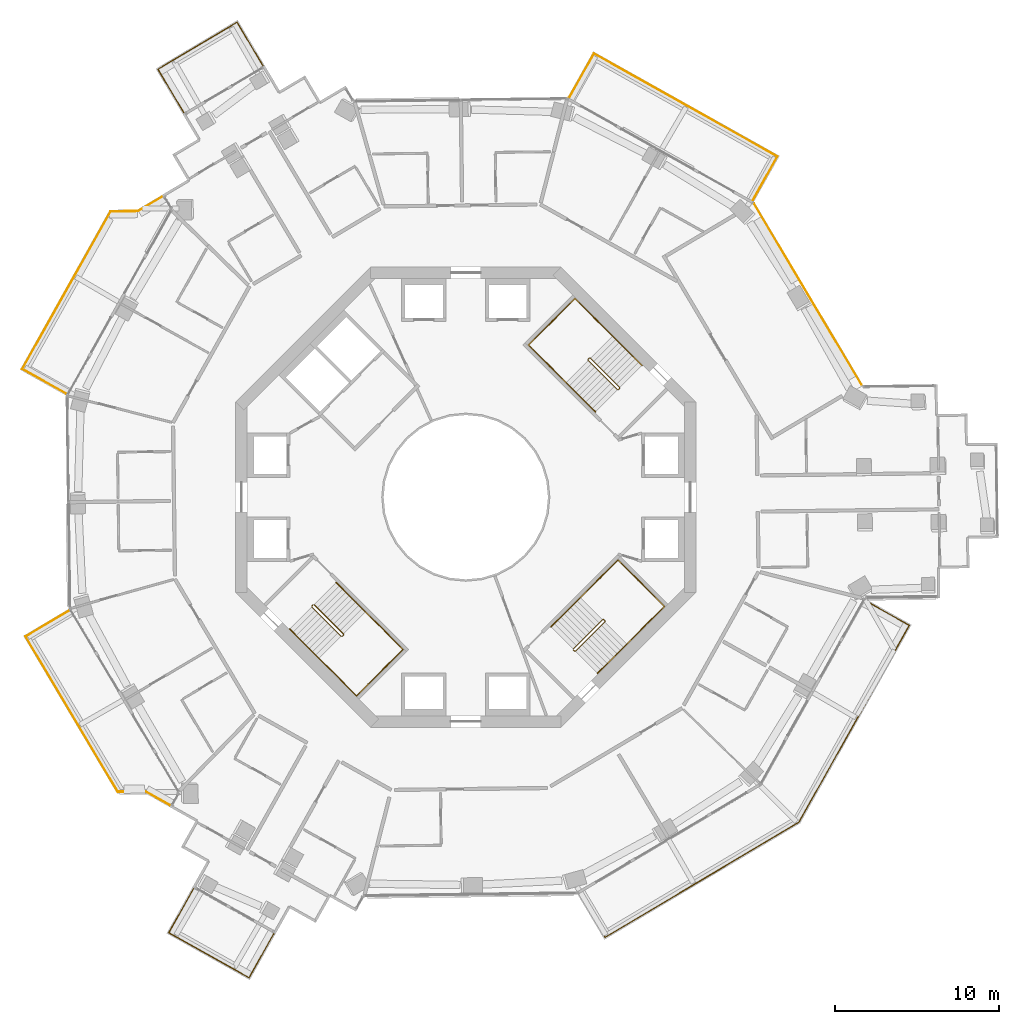
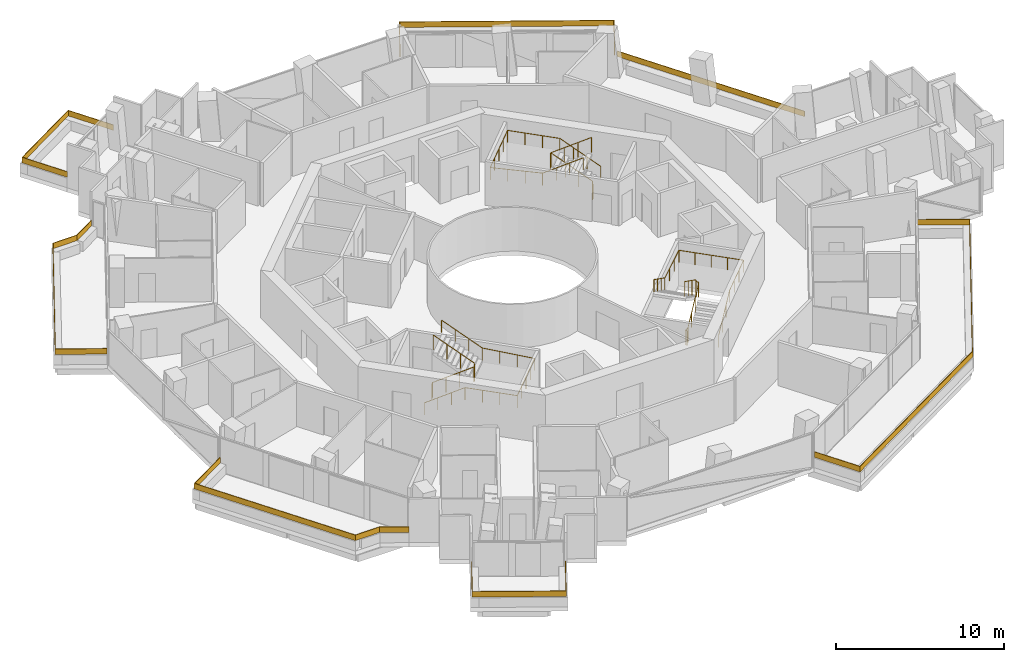
# One storey, part 21 of 21: 13 railings.
"""IFC4 building model written with IfcOpenShell, lengths in metres."""

from ifc_helpers import new_model, si_unit, direction, frame, origin, origin_2d, place, context, subcontext, project, spatial, polyline, rectangle, circle, outline, extrude, material, layer, layer_set, type_object, element, save


model = new_model("IFC4")

# Units and contexts
model_context = context("Model", 3, precision=1e-05, world=origin(), true_north=direction((0.0, 1.0)))
body_context = subcontext(model_context, "Body", "Model", "MODEL_VIEW")
ifc_project = project(units=[si_unit("LENGTHUNIT", "METRE"), si_unit("AREAUNIT", "SQUARE_METRE"), si_unit("VOLUMEUNIT", "CUBIC_METRE"), si_unit("PLANEANGLEUNIT", "RADIAN"), si_unit("MASSUNIT", "GRAM", prefix="KILO")], contexts=[model_context])

# Site, building, storey
site_placement = place(None, origin())
site = spatial("IfcSite", under=ifc_project, at=site_placement, CompositionType="ELEMENT")
building_placement = place(site_placement, origin())
building = spatial("IfcBuilding", under=site, at=building_placement, Name="Verdalira Terraces Hotel", CompositionType="ELEMENT")
storey_placement = place(building_placement, frame((0.0, 0.0, 158.5)))
storey = spatial("IfcBuildingStorey", under=building, at=storey_placement, Name="L38", CompositionType="ELEMENT", Elevation=158.5)

# Railings
ifc_material_1 = material(Name="Laminated glass", Category="glass")
ifc_layer = layer(ifc_material_1, 0.0400390625)
ifc_layer_set = layer_set([ifc_layer], Name="Balcony glass guard 400")
railing_type_1 = type_object("IfcRailingType", Name="Balcony glass guard 400", PredefinedType="GUARDRAIL", material=ifc_layer_set)
railing_1_placement = place(storey_placement, frame((0.0, 0.0, 0.699951)))
element("IfcRailing", 1, at=railing_1_placement, inside=storey, type_object=railing_type_1, Name="Balcony glass guard", PredefinedType="GUARDRAIL", context=body_context, shape_type="SweptSolid", body=[
    extrude(outline(polyline([(-13.925537, 28.876709), (-18.705322, 26.036377), (-17.132568, 23.389404), (-17.166748, 23.369141), (-18.760254, 26.050293), (-13.911621, 28.931396), (-12.318359, 26.250244), (-12.352783, 26.229736), (-13.925537, 28.876709)])), origin(), (0.0, 0.0, 1.0), 0.400146),
])
railing_2_placement = place(storey_placement, frame((0.0, 0.0, 0.699951)))
element("IfcRailing", 2, at=railing_2_placement, inside=storey, type_object=railing_type_1, Name="Balcony glass guard", PredefinedType="GUARDRAIL", context=body_context, shape_type="SweptSolid", body=[
    extrude(outline(polyline([(-19.946289, 17.38916), (-21.604004, 17.368164), (-26.96582, 7.805664), (-24.280273, 6.299805), (-24.299805, 6.264893), (-27.020264, 7.790283), (-21.627686, 17.407959), (-19.95752, 17.428955), (-18.450928, 18.324219), (-18.43042, 18.289795), (-19.946289, 17.38916)])), origin(), (0.0, 0.0, 1.0), 0.400146),
])
railing_3_placement = place(storey_placement, frame((0.0, 0.0, 0.699951)))
element("IfcRailing", 3, at=railing_3_placement, inside=storey, type_object=railing_type_1, Name="Balcony glass guard", PredefinedType="GUARDRAIL", context=body_context, shape_type="SweptSolid", body=[
    extrude(outline(polyline([(-26.76123, -8.480957), (-21.160645, -17.905762), (-19.50293, -17.884766), (-17.965088, -18.74707), (-17.984619, -18.781982), (-19.513184, -17.925049), (-21.18335, -17.946045), (-26.816162, -8.467041), (-24.134766, -6.873535), (-24.114258, -6.907959), (-26.76123, -8.480957)])), origin(), (0.0, 0.0, 1.0), 0.400146),
])
railing_4_placement = place(storey_placement, frame((0.0, 0.0, 0.699951)))
element("IfcRailing", 4, at=railing_4_placement, inside=storey, type_object=railing_type_1, Name="Balcony glass guard", PredefinedType="GUARDRAIL", context=body_context, shape_type="SweptSolid", body=[
    extrude(outline(polyline([(-18.045166, -26.498291), (-13.195557, -29.217529), (-11.689697, -26.531982), (-11.654785, -26.551514), (-13.180176, -29.271973), (-18.099609, -26.513672), (-16.574219, -23.792969), (-16.539307, -23.812744), (-18.045166, -26.498291)])), origin(), (0.0, 0.0, 1.0), 0.400146),
])
railing_5_placement = place(storey_placement, frame((0.0, 0.0, 0.699951)))
element("IfcRailing", 5, at=railing_5_placement, inside=storey, type_object=railing_type_1, Name="Balcony glass guard", PredefinedType="GUARDRAIL", context=body_context, shape_type="SweptSolid", body=[
    extrude(outline(polyline([(8.480957, -26.76123), (20.262939, -19.76001), (26.96582, -7.805664), (24.280273, -6.299805), (24.299805, -6.264893), (27.020264, -7.790283), (20.29248, -19.788818), (8.467041, -26.816162), (6.873535, -24.134766), (6.907959, -24.114258), (8.480957, -26.76123)])), origin(), (0.0, 0.0, 1.0), 0.400146),
])
railing_6_placement = place(storey_placement, frame((0.0, 0.0, 0.699951)))
element("IfcRailing", 6, at=railing_6_placement, inside=storey, type_object=railing_type_1, Name="Balcony glass guard", PredefinedType="GUARDRAIL", context=body_context, shape_type="SweptSolid", body=[
    extrude(outline(polyline([(18.935547, 20.725342), (7.805664, 26.96582), (6.299805, 24.280273), (6.264893, 24.299805), (7.790283, 27.020264), (18.98999, 20.740479), (17.4646, 18.02002), (17.429688, 18.039551), (18.935547, 20.725342)])), origin(), (0.0, 0.0, 1.0), 0.400146),
])
railing_7_placement = place(storey_placement, frame((20.811279, 12.366699, 0.699951), z_axis=(0.0, 0.0, 1.0), x_axis=(-0.510843032, 0.859674006, 0.0)))
element("IfcRailing", 7, at=railing_7_placement, inside=storey, type_object=railing_type_1, Name="Loggia glass guard", PredefinedType="GUARDRAIL", context=body_context, shape_type="SweptSolid", body=[
    extrude(rectangle(XDim=12.840088, YDim=0.040039, at=origin_2d()), origin(), (0.0, 0.0, 1.0), 0.399902),
])
ifc_material_2 = material(Name="Stainless steel", Category="steel")
railing_type_2 = type_object("IfcRailingType", Name="Stair guard 1100", PredefinedType="GUARDRAIL", material=ifc_material_2)
railing_8_placement = place(storey_placement, frame((9.369141, 6.611328, 0.0)))
element("IfcRailing", 8, at=railing_8_placement, inside=storey, type_object=railing_type_2, Name="L38 ST1 stair guard 1", PredefinedType="GUARDRAIL", context=body_context, shape_type="SweptSolid", body=[
    extrude(circle(Radius=0.023926, at=origin_2d()), frame((0.0, 0.0, 1.076172), z_axis=(-0.70832698, -0.705884473, 0.0), x_axis=(0.705884473, -0.70832698, 0.0)), (0.0, 0.0, 1.0), 0.099854),
    extrude(circle(Radius=0.023926, at=origin_2d()), frame((-0.070801, -0.070557, 1.076172), z_axis=(0.300162975, 0.599290904, 0.742127078), x_axis=(-0.894118129, 0.447831187, 0.0)), (0.0, 0.0, 1.0), 0.23584),
    extrude(circle(Radius=0.023926, at=origin_2d()), frame((0.0, 0.070801, 1.250977), z_axis=(-0.599637504, 0.599637504, 0.52997144), x_axis=(-0.707106781, -0.707106781, 0.0)), (0.0, 0.0, 1.0), 2.97168),
    extrude(circle(Radius=0.023926, at=origin_2d()), frame((-1.781982, 1.852783, 2.826172), z_axis=(-1.0, 0.0, 0.0), x_axis=(0.0, -1.0, 0.0)), (0.0, 0.0, 1.0), 0.070557),
    extrude(circle(Radius=0.023926, at=origin_2d()), frame((-1.852539, 1.852783, 2.826172), z_axis=(-0.707106781, -0.707106781, 0.0), x_axis=(0.707106781, -0.707106781, 0.0)), (0.0, 0.0, 1.0), 0.100098),
    extrude(circle(Radius=0.023926, at=origin_2d()), frame((-1.92334, 1.781982, 2.826172), z_axis=(0.0, -0.373842709, 0.927492118), x_axis=(1.0, 0.0, 0.0)), (0.0, 0.0, 1.0), 0.188721),
    extrude(circle(Radius=0.023926, at=origin_2d()), frame((-1.92334, 1.711426, 3.000977), z_axis=(0.599637504, -0.599637504, 0.52997144), x_axis=(0.707106781, 0.707106781, 0.0)), (0.0, 0.0, 1.0), 2.97168),
    extrude(circle(Radius=0.020996, at=origin_2d()), origin(), (0.0, 0.0, 1.0), 1.052002),
    extrude(circle(Radius=0.020996, at=origin_2d()), frame((-0.070801, -0.070557, 0.0)), (0.0, 0.0, 1.0), 1.052002),
    extrude(circle(Radius=0.020996, at=origin_2d()), frame((0.0, 0.070801, 0.175049)), (0.0, 0.0, 1.0), 1.052002),
    extrude(circle(Radius=0.020996, at=origin_2d()), frame((-0.593994, 0.664795, 0.699951)), (0.0, 0.0, 1.0), 1.052002),
    extrude(circle(Radius=0.020996, at=origin_2d()), frame((-1.187988, 1.258789, 1.225098)), (0.0, 0.0, 1.0), 1.052002),
    extrude(circle(Radius=0.020996, at=origin_2d()), frame((-1.781982, 1.852783, 1.75)), (0.0, 0.0, 1.0), 1.052002),
    extrude(circle(Radius=0.020996, at=origin_2d()), frame((-1.852539, 1.852783, 1.75)), (0.0, 0.0, 1.0), 1.052002),
    extrude(circle(Radius=0.020996, at=origin_2d()), frame((-1.92334, 1.781982, 1.75)), (0.0, 0.0, 1.0), 1.052002),
    extrude(circle(Radius=0.020996, at=origin_2d()), frame((-1.92334, 1.711426, 1.925049)), (0.0, 0.0, 1.0), 1.052002),
    extrude(circle(Radius=0.020996, at=origin_2d()), frame((-1.329346, 1.117432, 2.449951)), (0.0, 0.0, 1.0), 1.052002),
    extrude(circle(Radius=0.020996, at=origin_2d()), frame((-0.735352, 0.523438, 2.975098)), (0.0, 0.0, 1.0), 1.052002),
    extrude(circle(Radius=0.020996, at=origin_2d()), frame((-0.141357, -0.070557, 3.5)), (0.0, 0.0, 1.0), 1.052002),
])
railing_9_placement = place(storey_placement, frame((-9.369141, -6.611328, 0.0)))
element("IfcRailing", 9, at=railing_9_placement, inside=storey, type_object=railing_type_2, Name="L38 ST2 stair guard 1", PredefinedType="GUARDRAIL", context=body_context, shape_type="SweptSolid", body=[
    extrude(circle(Radius=0.023926, at=origin_2d()), frame((0.0, 0.0, 1.076172), z_axis=(0.70832698, 0.705884473, 0.0), x_axis=(-0.705884473, 0.70832698, 0.0)), (0.0, 0.0, 1.0), 0.099854),
    extrude(circle(Radius=0.023926, at=origin_2d()), frame((0.070801, 0.070557, 1.076172), z_axis=(-0.300162975, -0.599290904, 0.742127078), x_axis=(0.894118129, -0.447831187, 0.0)), (0.0, 0.0, 1.0), 0.23584),
    extrude(circle(Radius=0.023926, at=origin_2d()), frame((0.0, -0.070801, 1.250977), z_axis=(0.599637504, -0.599637504, 0.52997144), x_axis=(0.707106781, 0.707106781, 0.0)), (0.0, 0.0, 1.0), 2.97168),
    extrude(circle(Radius=0.023926, at=origin_2d()), frame((1.781982, -1.852783, 2.826172), z_axis=(1.0, 0.0, 0.0), x_axis=(0.0, 1.0, 0.0)), (0.0, 0.0, 1.0), 0.070557),
    extrude(circle(Radius=0.023926, at=origin_2d()), frame((1.852539, -1.852783, 2.826172), z_axis=(0.707106781, 0.707106781, 0.0), x_axis=(-0.707106781, 0.707106781, 0.0)), (0.0, 0.0, 1.0), 0.100098),
    extrude(circle(Radius=0.023926, at=origin_2d()), frame((1.92334, -1.781982, 2.826172), z_axis=(0.0, 0.373842709, 0.927492118), x_axis=(-1.0, 0.0, 0.0)), (0.0, 0.0, 1.0), 0.188721),
    extrude(circle(Radius=0.023926, at=origin_2d()), frame((1.92334, -1.711426, 3.000977), z_axis=(-0.599637504, 0.599637504, 0.52997144), x_axis=(-0.707106781, -0.707106781, 0.0)), (0.0, 0.0, 1.0), 2.97168),
    extrude(circle(Radius=0.020996, at=origin_2d()), origin(), (0.0, 0.0, 1.0), 1.052002),
    extrude(circle(Radius=0.020996, at=origin_2d()), frame((0.070801, 0.070557, 0.0)), (0.0, 0.0, 1.0), 1.052002),
    extrude(circle(Radius=0.020996, at=origin_2d()), frame((0.0, -0.070801, 0.175049)), (0.0, 0.0, 1.0), 1.052002),
    extrude(circle(Radius=0.020996, at=origin_2d()), frame((0.593994, -0.664795, 0.699951)), (0.0, 0.0, 1.0), 1.052002),
    extrude(circle(Radius=0.020996, at=origin_2d()), frame((1.187988, -1.258789, 1.225098)), (0.0, 0.0, 1.0), 1.052002),
    extrude(circle(Radius=0.020996, at=origin_2d()), frame((1.781982, -1.852783, 1.75)), (0.0, 0.0, 1.0), 1.052002),
    extrude(circle(Radius=0.020996, at=origin_2d()), frame((1.852539, -1.852783, 1.75)), (0.0, 0.0, 1.0), 1.052002),
    extrude(circle(Radius=0.020996, at=origin_2d()), frame((1.92334, -1.781982, 1.75)), (0.0, 0.0, 1.0), 1.052002),
    extrude(circle(Radius=0.020996, at=origin_2d()), frame((1.92334, -1.711426, 1.925049)), (0.0, 0.0, 1.0), 1.052002),
    extrude(circle(Radius=0.020996, at=origin_2d()), frame((1.329346, -1.117432, 2.449951)), (0.0, 0.0, 1.0), 1.052002),
    extrude(circle(Radius=0.020996, at=origin_2d()), frame((0.735352, -0.523438, 2.975098)), (0.0, 0.0, 1.0), 1.052002),
    extrude(circle(Radius=0.020996, at=origin_2d()), frame((0.141357, 0.070557, 3.5)), (0.0, 0.0, 1.0), 1.052002),
])
railing_10_placement = place(storey_placement, frame((6.611328, -9.369141, 0.0)))
element("IfcRailing", 10, at=railing_10_placement, inside=storey, type_object=railing_type_2, Name="L38 ST3 stair guard 1", PredefinedType="GUARDRAIL", context=body_context, shape_type="SweptSolid", body=[
    extrude(circle(Radius=0.023926, at=origin_2d()), frame((0.0, 0.0, 1.076172), z_axis=(-0.705884473, 0.70832698, 0.0), x_axis=(-0.70832698, -0.705884473, 0.0)), (0.0, 0.0, 1.0), 0.099854),
    extrude(circle(Radius=0.023926, at=origin_2d()), frame((-0.070557, 0.070801, 1.076172), z_axis=(0.599290904, -0.300162975, 0.742127078), x_axis=(0.447831187, 0.894118129, 0.0)), (0.0, 0.0, 1.0), 0.23584),
    extrude(circle(Radius=0.023926, at=origin_2d()), frame((0.070801, 0.0, 1.250977), z_axis=(0.599637504, 0.599637504, 0.52997144), x_axis=(-0.707106781, 0.707106781, 0.0)), (0.0, 0.0, 1.0), 2.97168),
    extrude(circle(Radius=0.023926, at=origin_2d()), frame((1.852783, 1.781982, 2.826172), z_axis=(0.0, 1.0, 0.0), x_axis=(-1.0, 0.0, 0.0)), (0.0, 0.0, 1.0), 0.070557),
    extrude(circle(Radius=0.023926, at=origin_2d()), frame((1.852783, 1.852539, 2.826172), z_axis=(-0.707106781, 0.707106781, 0.0), x_axis=(-0.707106781, -0.707106781, 0.0)), (0.0, 0.0, 1.0), 0.100098),
    extrude(circle(Radius=0.023926, at=origin_2d()), frame((1.781982, 1.92334, 2.826172), z_axis=(-0.373842709, 0.0, 0.927492118), x_axis=(0.0, -1.0, 0.0)), (0.0, 0.0, 1.0), 0.188721),
    extrude(circle(Radius=0.023926, at=origin_2d()), frame((1.711426, 1.92334, 3.000977), z_axis=(-0.599637504, -0.599637504, 0.52997144), x_axis=(0.707106781, -0.707106781, 0.0)), (0.0, 0.0, 1.0), 2.97168),
    extrude(circle(Radius=0.020996, at=origin_2d()), origin(), (0.0, 0.0, 1.0), 1.052002),
    extrude(circle(Radius=0.020996, at=origin_2d()), frame((-0.070557, 0.070801, 0.0)), (0.0, 0.0, 1.0), 1.052002),
    extrude(circle(Radius=0.020996, at=origin_2d()), frame((0.070801, 0.0, 0.175049)), (0.0, 0.0, 1.0), 1.052002),
    extrude(circle(Radius=0.020996, at=origin_2d()), frame((0.664795, 0.593994, 0.699951)), (0.0, 0.0, 1.0), 1.052002),
    extrude(circle(Radius=0.020996, at=origin_2d()), frame((1.258789, 1.187988, 1.225098)), (0.0, 0.0, 1.0), 1.052002),
    extrude(circle(Radius=0.020996, at=origin_2d()), frame((1.852783, 1.781982, 1.75)), (0.0, 0.0, 1.0), 1.052002),
    extrude(circle(Radius=0.020996, at=origin_2d()), frame((1.852783, 1.852539, 1.75)), (0.0, 0.0, 1.0), 1.052002),
    extrude(circle(Radius=0.020996, at=origin_2d()), frame((1.781982, 1.92334, 1.75)), (0.0, 0.0, 1.0), 1.052002),
    extrude(circle(Radius=0.020996, at=origin_2d()), frame((1.711426, 1.92334, 1.925049)), (0.0, 0.0, 1.0), 1.052002),
    extrude(circle(Radius=0.020996, at=origin_2d()), frame((1.117432, 1.329346, 2.449951)), (0.0, 0.0, 1.0), 1.052002),
    extrude(circle(Radius=0.020996, at=origin_2d()), frame((0.523438, 0.735352, 2.975098)), (0.0, 0.0, 1.0), 1.052002),
    extrude(circle(Radius=0.020996, at=origin_2d()), frame((-0.070557, 0.141357, 3.5)), (0.0, 0.0, 1.0), 1.052002),
])
ifc_material_3 = material(Name="Stainless steel", Category="steel")
railing_type_3 = type_object("IfcRailingType", Name="Stair handrail 900", PredefinedType="HANDRAIL", material=ifc_material_3)
railing_11_placement = place(storey_placement, frame((10.712646, 8.025635, 0.175049)))
element("IfcRailing", 11, at=railing_11_placement, inside=storey, type_object=railing_type_3, Name="L38 ST1 stair handrail 1", PredefinedType="HANDRAIL", context=body_context, shape_type="SweptSolid", body=[
    extrude(circle(Radius=0.023926, at=origin_2d()), frame((0.0, 0.0, 0.875977), z_axis=(-0.599637504, 0.599637504, 0.52997144), x_axis=(-0.707106781, -0.707106781, 0.0)), (0.0, 0.0, 1.0), 2.97168),
    extrude(circle(Radius=0.023926, at=origin_2d()), frame((-1.781982, 1.781982, 2.450684), z_axis=(-0.707106781, 0.707106781, 0.0), x_axis=(-0.707106781, -0.707106781, 0.0)), (0.0, 0.0, 1.0), 3.22998),
    extrude(circle(Radius=0.023926, at=origin_2d()), frame((-4.065918, 4.065918, 2.450684), z_axis=(-0.707106781, -0.707106781, 0.0), x_axis=(0.707106781, -0.707106781, 0.0)), (0.0, 0.0, 1.0), 4.0),
    extrude(circle(Radius=0.023926, at=origin_2d()), frame((-6.894287, 1.237549, 2.450684), z_axis=(0.706070637, -0.706070637, 0.054115729), x_axis=(0.707106781, 0.707106781, 0.0)), (0.0, 0.0, 1.0), 3.234619),
    extrude(circle(Radius=0.023926, at=origin_2d()), frame((-4.610352, -1.046387, 2.625977), z_axis=(0.599637504, -0.599637504, 0.52997144), x_axis=(0.707106781, 0.707106781, 0.0)), (0.0, 0.0, 1.0), 2.97168),
    extrude(circle(Radius=0.020996, at=origin_2d()), origin(), (0.0, 0.0, 1.0), 0.851807),
    extrude(circle(Radius=0.020996, at=origin_2d()), frame((-0.593994, 0.593994, 0.524902)), (0.0, 0.0, 1.0), 0.851807),
    extrude(circle(Radius=0.020996, at=origin_2d()), frame((-1.187988, 1.187988, 1.050049)), (0.0, 0.0, 1.0), 0.851807),
    extrude(circle(Radius=0.020996, at=origin_2d()), frame((-1.781982, 1.781982, 1.574951)), (0.0, 0.0, 1.0), 0.851807),
    extrude(circle(Radius=0.020996, at=origin_2d()), frame((-2.543213, 2.543213, 1.574951)), (0.0, 0.0, 1.0), 0.851807),
    extrude(circle(Radius=0.020996, at=origin_2d()), frame((-3.304688, 3.304688, 1.574951)), (0.0, 0.0, 1.0), 0.851807),
    extrude(circle(Radius=0.020996, at=origin_2d()), frame((-4.065918, 4.065918, 1.574951)), (0.0, 0.0, 1.0), 0.851807),
    extrude(circle(Radius=0.020996, at=origin_2d()), frame((-4.772949, 3.358887, 1.574951)), (0.0, 0.0, 1.0), 0.851807),
    extrude(circle(Radius=0.020996, at=origin_2d()), frame((-5.47998, 2.651855, 1.574951)), (0.0, 0.0, 1.0), 0.851807),
    extrude(circle(Radius=0.020996, at=origin_2d()), frame((-6.187256, 1.94458, 1.574951)), (0.0, 0.0, 1.0), 0.851807),
    extrude(circle(Radius=0.020996, at=origin_2d()), frame((-6.894287, 1.237549, 1.574951)), (0.0, 0.0, 1.0), 0.851807),
    extrude(circle(Radius=0.020996, at=origin_2d()), frame((-6.133057, 0.476318, 1.633301)), (0.0, 0.0, 1.0), 0.851807),
    extrude(circle(Radius=0.020996, at=origin_2d()), frame((-5.371582, -0.285156, 1.69165)), (0.0, 0.0, 1.0), 0.851807),
    extrude(circle(Radius=0.020996, at=origin_2d()), frame((-4.610352, -1.046387, 1.75)), (0.0, 0.0, 1.0), 0.851807),
    extrude(circle(Radius=0.020996, at=origin_2d()), frame((-4.016357, -1.640381, 2.274902)), (0.0, 0.0, 1.0), 0.851807),
    extrude(circle(Radius=0.020996, at=origin_2d()), frame((-3.422363, -2.234375, 2.800049)), (0.0, 0.0, 1.0), 0.851807),
    extrude(circle(Radius=0.020996, at=origin_2d()), frame((-2.828369, -2.828369, 3.324951)), (0.0, 0.0, 1.0), 0.851807),
])
railing_12_placement = place(storey_placement, frame((-10.712646, -8.025635, 0.175049)))
element("IfcRailing", 12, at=railing_12_placement, inside=storey, type_object=railing_type_3, Name="L38 ST2 stair handrail 1", PredefinedType="HANDRAIL", context=body_context, shape_type="SweptSolid", body=[
    extrude(circle(Radius=0.023926, at=origin_2d()), frame((0.0, 0.0, 0.875977), z_axis=(0.599637504, -0.599637504, 0.52997144), x_axis=(0.707106781, 0.707106781, 0.0)), (0.0, 0.0, 1.0), 2.97168),
    extrude(circle(Radius=0.023926, at=origin_2d()), frame((1.781982, -1.781982, 2.450684), z_axis=(0.707106781, -0.707106781, 0.0), x_axis=(0.707106781, 0.707106781, 0.0)), (0.0, 0.0, 1.0), 3.22998),
    extrude(circle(Radius=0.023926, at=origin_2d()), frame((4.065918, -4.065918, 2.450684), z_axis=(0.707106781, 0.707106781, 0.0), x_axis=(-0.707106781, 0.707106781, 0.0)), (0.0, 0.0, 1.0), 4.0),
    extrude(circle(Radius=0.023926, at=origin_2d()), frame((6.894287, -1.237549, 2.450684), z_axis=(-0.706070637, 0.706070637, 0.054115729), x_axis=(-0.707106781, -0.707106781, 0.0)), (0.0, 0.0, 1.0), 3.234619),
    extrude(circle(Radius=0.023926, at=origin_2d()), frame((4.610352, 1.046387, 2.625977), z_axis=(-0.599637504, 0.599637504, 0.52997144), x_axis=(-0.707106781, -0.707106781, 0.0)), (0.0, 0.0, 1.0), 2.97168),
    extrude(circle(Radius=0.020996, at=origin_2d()), origin(), (0.0, 0.0, 1.0), 0.851807),
    extrude(circle(Radius=0.020996, at=origin_2d()), frame((0.593994, -0.593994, 0.524902)), (0.0, 0.0, 1.0), 0.851807),
    extrude(circle(Radius=0.020996, at=origin_2d()), frame((1.187988, -1.187988, 1.050049)), (0.0, 0.0, 1.0), 0.851807),
    extrude(circle(Radius=0.020996, at=origin_2d()), frame((1.781982, -1.781982, 1.574951)), (0.0, 0.0, 1.0), 0.851807),
    extrude(circle(Radius=0.020996, at=origin_2d()), frame((2.543213, -2.543213, 1.574951)), (0.0, 0.0, 1.0), 0.851807),
    extrude(circle(Radius=0.020996, at=origin_2d()), frame((3.304688, -3.304688, 1.574951)), (0.0, 0.0, 1.0), 0.851807),
    extrude(circle(Radius=0.020996, at=origin_2d()), frame((4.065918, -4.065918, 1.574951)), (0.0, 0.0, 1.0), 0.851807),
    extrude(circle(Radius=0.020996, at=origin_2d()), frame((4.772949, -3.358887, 1.574951)), (0.0, 0.0, 1.0), 0.851807),
    extrude(circle(Radius=0.020996, at=origin_2d()), frame((5.47998, -2.651855, 1.574951)), (0.0, 0.0, 1.0), 0.851807),
    extrude(circle(Radius=0.020996, at=origin_2d()), frame((6.187256, -1.94458, 1.574951)), (0.0, 0.0, 1.0), 0.851807),
    extrude(circle(Radius=0.020996, at=origin_2d()), frame((6.894287, -1.237549, 1.574951)), (0.0, 0.0, 1.0), 0.851807),
    extrude(circle(Radius=0.020996, at=origin_2d()), frame((6.133057, -0.476318, 1.633301)), (0.0, 0.0, 1.0), 0.851807),
    extrude(circle(Radius=0.020996, at=origin_2d()), frame((5.371582, 0.285156, 1.69165)), (0.0, 0.0, 1.0), 0.851807),
    extrude(circle(Radius=0.020996, at=origin_2d()), frame((4.610352, 1.046387, 1.75)), (0.0, 0.0, 1.0), 0.851807),
    extrude(circle(Radius=0.020996, at=origin_2d()), frame((4.016357, 1.640381, 2.274902)), (0.0, 0.0, 1.0), 0.851807),
    extrude(circle(Radius=0.020996, at=origin_2d()), frame((3.422363, 2.234375, 2.800049)), (0.0, 0.0, 1.0), 0.851807),
    extrude(circle(Radius=0.020996, at=origin_2d()), frame((2.828369, 2.828369, 3.324951)), (0.0, 0.0, 1.0), 0.851807),
])
railing_13_placement = place(storey_placement, frame((8.025635, -10.712646, 0.175049)))
element("IfcRailing", 13, at=railing_13_placement, inside=storey, type_object=railing_type_3, Name="L38 ST3 stair handrail 1", PredefinedType="HANDRAIL", context=body_context, shape_type="SweptSolid", body=[
    extrude(circle(Radius=0.023926, at=origin_2d()), frame((0.0, 0.0, 0.875977), z_axis=(0.599637504, 0.599637504, 0.52997144), x_axis=(-0.707106781, 0.707106781, 0.0)), (0.0, 0.0, 1.0), 2.97168),
    extrude(circle(Radius=0.023926, at=origin_2d()), frame((1.781982, 1.781982, 2.450684), z_axis=(0.707106781, 0.707106781, 0.0), x_axis=(-0.707106781, 0.707106781, 0.0)), (0.0, 0.0, 1.0), 3.22998),
    extrude(circle(Radius=0.023926, at=origin_2d()), frame((4.065918, 4.065918, 2.450684), z_axis=(-0.707106781, 0.707106781, 0.0), x_axis=(-0.707106781, -0.707106781, 0.0)), (0.0, 0.0, 1.0), 4.0),
    extrude(circle(Radius=0.023926, at=origin_2d()), frame((1.237549, 6.894287, 2.450684), z_axis=(-0.706070637, -0.706070637, 0.054115729), x_axis=(0.707106781, -0.707106781, 0.0)), (0.0, 0.0, 1.0), 3.234619),
    extrude(circle(Radius=0.023926, at=origin_2d()), frame((-1.046387, 4.610352, 2.625977), z_axis=(-0.599637504, -0.599637504, 0.52997144), x_axis=(0.707106781, -0.707106781, 0.0)), (0.0, 0.0, 1.0), 2.97168),
    extrude(circle(Radius=0.020996, at=origin_2d()), origin(), (0.0, 0.0, 1.0), 0.851807),
    extrude(circle(Radius=0.020996, at=origin_2d()), frame((0.593994, 0.593994, 0.524902)), (0.0, 0.0, 1.0), 0.851807),
    extrude(circle(Radius=0.020996, at=origin_2d()), frame((1.187988, 1.187988, 1.050049)), (0.0, 0.0, 1.0), 0.851807),
    extrude(circle(Radius=0.020996, at=origin_2d()), frame((1.781982, 1.781982, 1.574951)), (0.0, 0.0, 1.0), 0.851807),
    extrude(circle(Radius=0.020996, at=origin_2d()), frame((2.543213, 2.543213, 1.574951)), (0.0, 0.0, 1.0), 0.851807),
    extrude(circle(Radius=0.020996, at=origin_2d()), frame((3.304688, 3.304688, 1.574951)), (0.0, 0.0, 1.0), 0.851807),
    extrude(circle(Radius=0.020996, at=origin_2d()), frame((4.065918, 4.065918, 1.574951)), (0.0, 0.0, 1.0), 0.851807),
    extrude(circle(Radius=0.020996, at=origin_2d()), frame((3.358887, 4.772949, 1.574951)), (0.0, 0.0, 1.0), 0.851807),
    extrude(circle(Radius=0.020996, at=origin_2d()), frame((2.651855, 5.47998, 1.574951)), (0.0, 0.0, 1.0), 0.851807),
    extrude(circle(Radius=0.020996, at=origin_2d()), frame((1.94458, 6.187256, 1.574951)), (0.0, 0.0, 1.0), 0.851807),
    extrude(circle(Radius=0.020996, at=origin_2d()), frame((1.237549, 6.894287, 1.574951)), (0.0, 0.0, 1.0), 0.851807),
    extrude(circle(Radius=0.020996, at=origin_2d()), frame((0.476318, 6.133057, 1.633301)), (0.0, 0.0, 1.0), 0.851807),
    extrude(circle(Radius=0.020996, at=origin_2d()), frame((-0.285156, 5.371582, 1.69165)), (0.0, 0.0, 1.0), 0.851807),
    extrude(circle(Radius=0.020996, at=origin_2d()), frame((-1.046387, 4.610352, 1.75)), (0.0, 0.0, 1.0), 0.851807),
    extrude(circle(Radius=0.020996, at=origin_2d()), frame((-1.640381, 4.016357, 2.274902)), (0.0, 0.0, 1.0), 0.851807),
    extrude(circle(Radius=0.020996, at=origin_2d()), frame((-2.234375, 3.422363, 2.800049)), (0.0, 0.0, 1.0), 0.851807),
    extrude(circle(Radius=0.020996, at=origin_2d()), frame((-2.828369, 2.828369, 3.324951)), (0.0, 0.0, 1.0), 0.851807),
])

save(model, "model.ifc")
